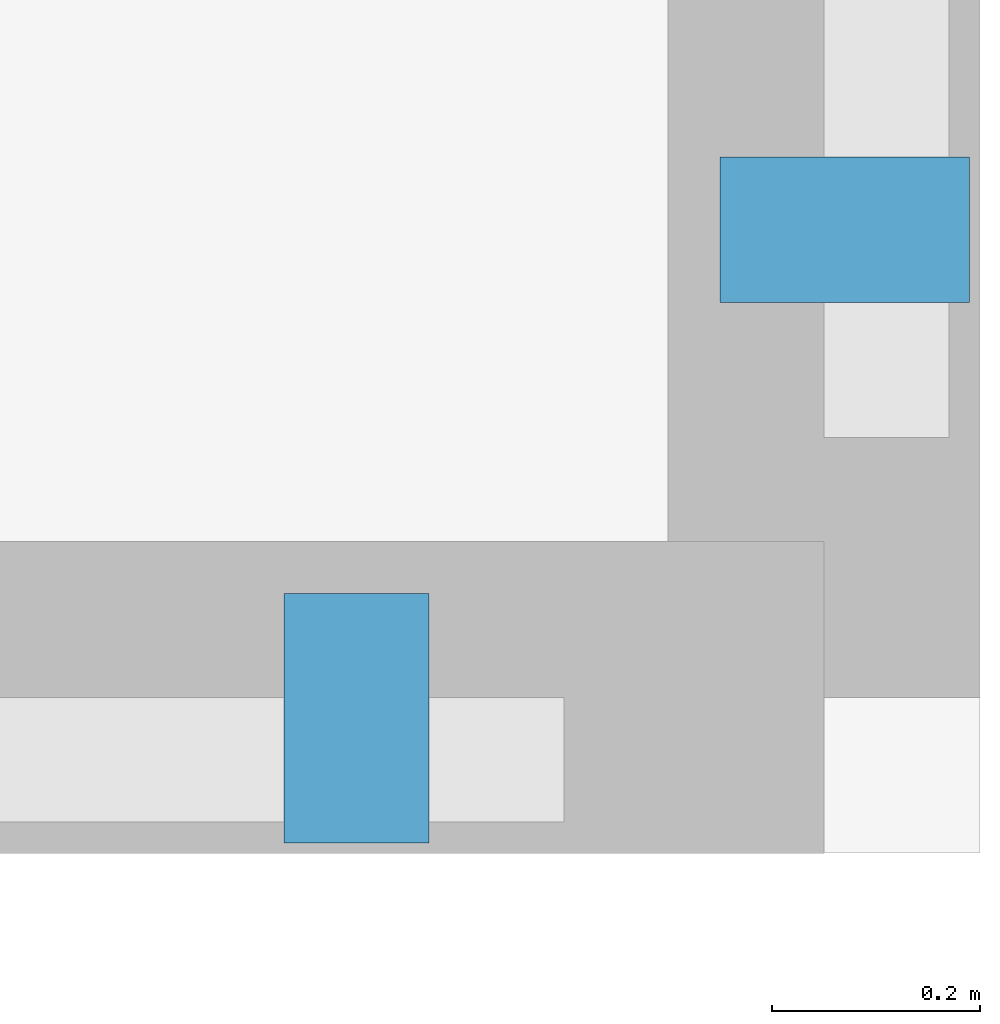
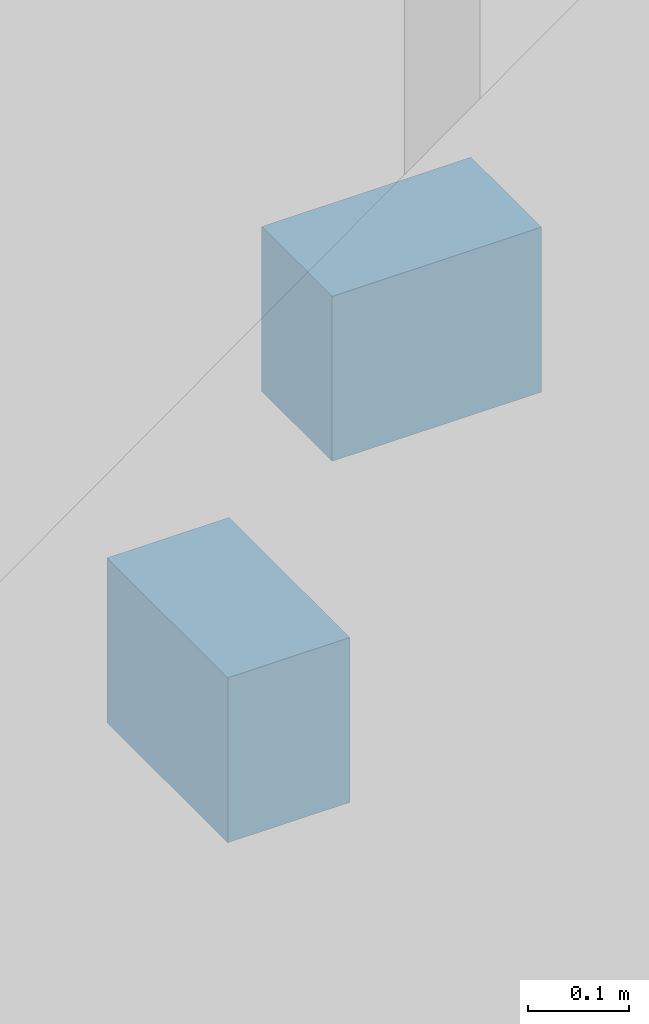
# One storey, part 18 of 22: 2 discrete accessories.
"""IFC4 building model written with IfcOpenShell, lengths in metres."""

from ifc_helpers import new_model, si_unit, direction, frame, origin, origin_2d, place, context, subcontext, project, spatial, rectangle, extrude, material, type_object, element, save


model = new_model("IFC4")

# Units and contexts
model_context = context("Model", 3, precision=1e-05, world=origin(), true_north=direction((0.0, 1.0)))
body_context = subcontext(model_context, "Body", "Model", "MODEL_VIEW")
ifc_project = project(units=[si_unit("LENGTHUNIT", "METRE"), si_unit("AREAUNIT", "SQUARE_METRE"), si_unit("VOLUMEUNIT", "CUBIC_METRE"), si_unit("PLANEANGLEUNIT", "RADIAN"), si_unit("MASSUNIT", "GRAM", prefix="KILO")], contexts=[model_context])

# Site, building, storey
site_placement = place(None, origin())
site = spatial("IfcSite", under=ifc_project, at=site_placement, CompositionType="ELEMENT")
building_placement = place(site_placement, origin())
building = spatial("IfcBuilding", under=site, at=building_placement, Name="Tarnavaz Court Tower", CompositionType="ELEMENT")
storey_placement = place(building_placement, frame((0.0, 0.0, 57.5)))
storey = spatial("IfcBuildingStorey", under=building, at=storey_placement, Name="L15", CompositionType="ELEMENT", Elevation=57.5)

# Discrete accessories
ifc_material = material(Name="Anodised Aluminium 6063-T6", Category="aluminium")
discrete_accessory_type = type_object("IfcDiscreteAccessoryType", Name="DA-BRKT-ALU", PredefinedType="BRACKET", material=ifc_material)
for number, where, z_axis, x_axis, name in (
    (1, (28.669921875, -18.60009765625, 1.75), (0.0, 0.0, 1.0), (0.0, -1.0, 0.0), "L15 Baguette Outrigger Bracket FBG12-2"),
    (2, (28.199951171875, -19.070068359375, 1.75), (0.0, 0.0, 1.0), (-1.0, 0.0, 0.0), "L15 Baguette Outrigger Bracket FBG13-1"),
):
    element("IfcDiscreteAccessory", number, at=place(storey_placement, frame(where, z_axis=z_axis, x_axis=x_axis)), inside=storey, type_object=discrete_accessory_type, Name=name, PredefinedType="BRACKET", context=body_context, shape_type="SweptSolid", body=[
        extrude(rectangle(XDim=0.139892578125, YDim=0.239990234375, at=origin_2d()), origin(), (0.0, 0.0, 1.0), 0.199951171875),
    ])

save(model, "model.ifc")
